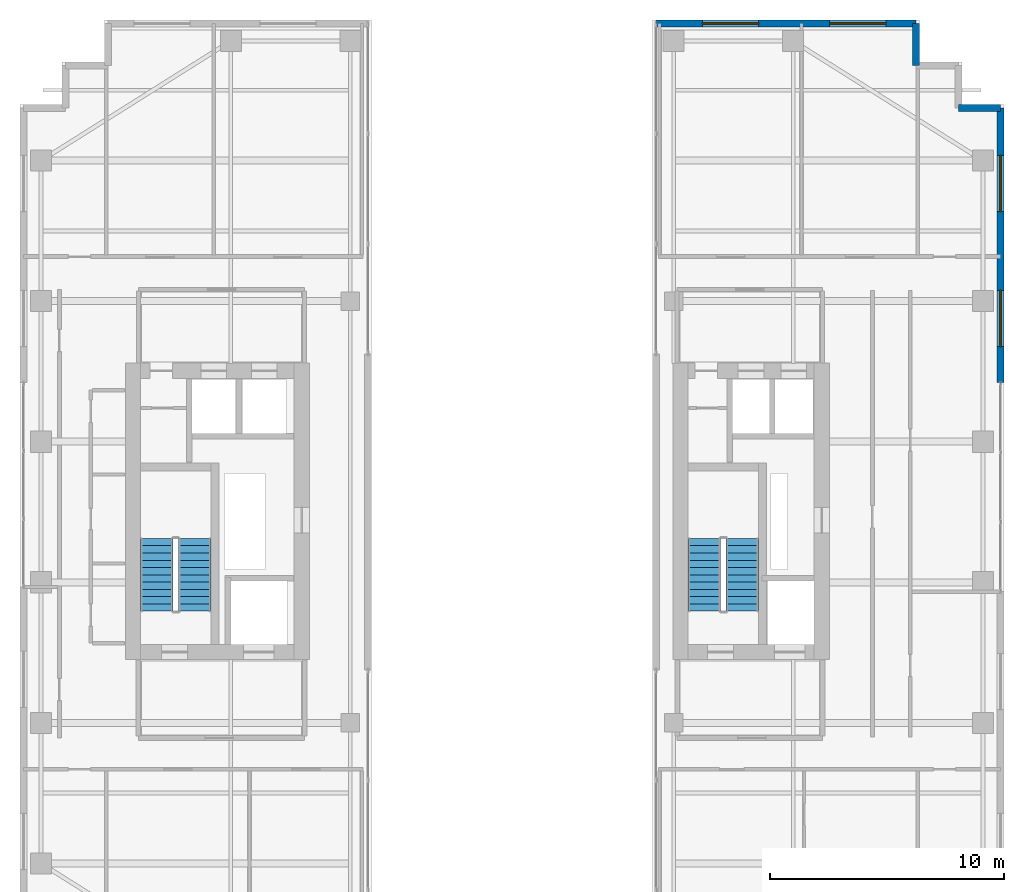
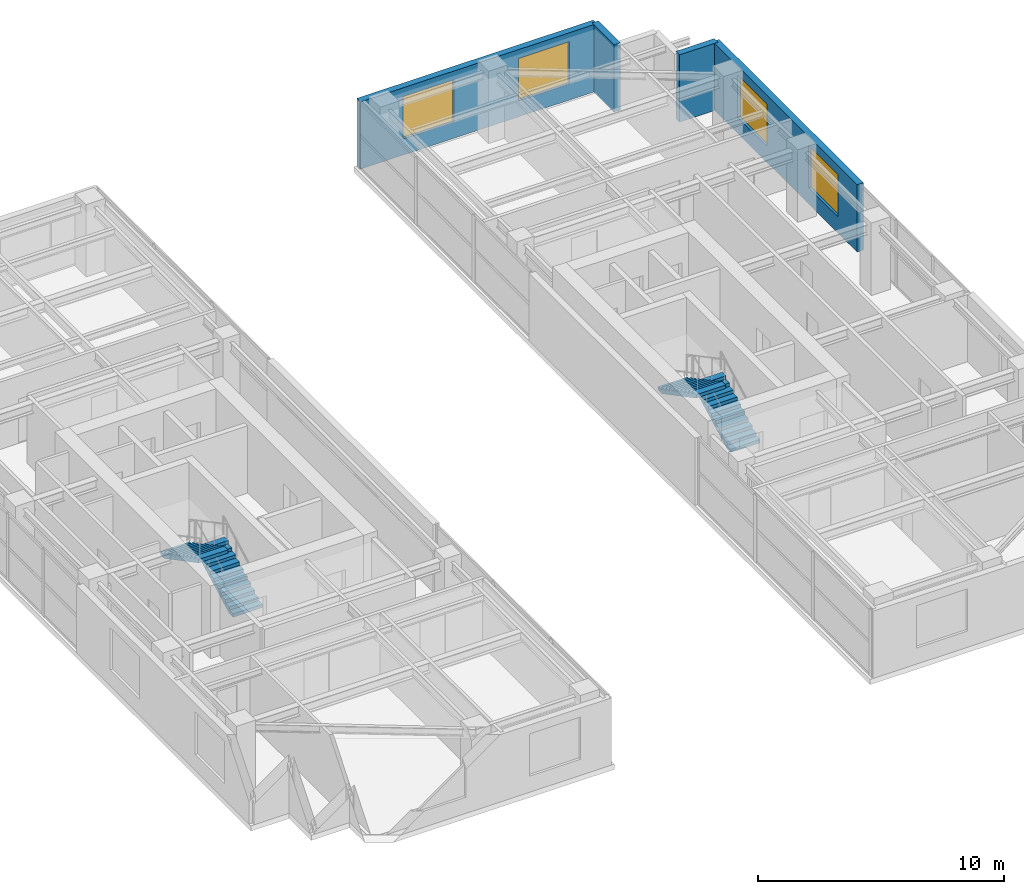
# One storey, part 19 of 21: 4 stair flights, 4 walls, 4 windows, 4 openings, 2 elements without a shape of their own.
"""IFC4 building model written with IfcOpenShell, lengths in metres."""

from ifc_helpers import new_model, si_unit, direction, frame, frame_2d, origin, place, context, subcontext, project, spatial, polyline, rectangle, outline, extrude, source, transform, mapped, material, layer, layer_set, type_object, element, fill, aggregate, save


model = new_model("IFC4")

# Units and contexts
model_context = context("Model", 3, precision=1e-05, world=origin(), true_north=direction((0.0, 1.0)))
body_context = subcontext(model_context, "Body", "Model", "MODEL_VIEW")
ifc_project = project(units=[si_unit("LENGTHUNIT", "METRE"), si_unit("AREAUNIT", "SQUARE_METRE"), si_unit("VOLUMEUNIT", "CUBIC_METRE"), si_unit("PLANEANGLEUNIT", "RADIAN"), si_unit("MASSUNIT", "GRAM", prefix="KILO")], contexts=[model_context])

# Site, building, storey
site_placement = place(None, origin())
site = spatial("IfcSite", under=ifc_project, at=site_placement, CompositionType="ELEMENT")
building_placement = place(site_placement, origin())
building = spatial("IfcBuilding", under=site, at=building_placement, Name="Khoralis Quay Care Tower", CompositionType="ELEMENT")
storey_placement = place(building_placement, frame((0.0, 0.0, 206.10009765625)))
storey = spatial("IfcBuildingStorey", under=building, at=storey_placement, Name="L54", CompositionType="ELEMENT", Elevation=206.10009765625)

# Wall, openings, windows
ifc_material_1 = material(Name="Precast concrete C45/55", Category="concrete")
ifc_layer = layer(ifc_material_1, 0.300048828125)
ifc_layer_set = layer_set([ifc_layer], Name="Precast concrete C45/55")
wall_type = type_object("IfcWallType", Name="WL-EXT-REF-300", PredefinedType="SOLIDWALL", material=ifc_layer_set)
wall_1_placement = place(storey_placement, frame((44.85009765625, 26.52001953125, 0.0), z_axis=(0.0, 0.0, 1.0), x_axis=(0.0, 1.0, 0.0)))
wall_1 = element("IfcWall", 1, at=wall_1_placement, inside=storey, type_object=wall_type, Name="L54 External Facade Wall WL-EXT-L54-P2-E5B", PredefinedType="SOLIDWALL", context=body_context, shape_type="SweptSolid", body=[
    extrude(rectangle(XDim=11.72998046875, YDim=0.300048828125, at=frame_2d((5.864990234375, 0.0))), origin(), (0.0, 0.0, 1.0), 3.33984375),
])
opening_1_placement = place(wall_1_placement, frame((1.5400390625, 0.0, 0.800048828125)))
opening_1 = element("IfcOpeningElement", 2, at=opening_1_placement, cuts=wall_1, Name="Opening W1", PredefinedType="OPENING", context=body_context, shape_type="SweptSolid", body=[
    extrude(rectangle(XDim=2.39990234375, YDim=2.10009765625, at=frame_2d((1.199951171875, 1.050048828125))), frame((0.0, 0.16015625, 0.0), z_axis=(0.0, -1.0, 0.0), x_axis=(1.0, 0.0, 0.0)), (0.0, 0.0, 1.0), 0.320068359375),
])
opening_2_placement = place(wall_1_placement, frame((7.304931640625, 0.0, 0.800048828125)))
opening_2 = element("IfcOpeningElement", 3, at=opening_2_placement, cuts=wall_1, Name="Opening W1", PredefinedType="OPENING", context=body_context, shape_type="SweptSolid", body=[
    extrude(rectangle(XDim=2.39990234375, YDim=2.10009765625, at=frame_2d((1.199951171875, 1.050048828125))), frame((0.0, 0.16015625, 0.0), z_axis=(0.0, -1.0, 0.0), x_axis=(1.0, 0.0, 0.0)), (0.0, 0.0, 1.0), 0.320068359375),
])
ifc_material_2 = material(Name="Low-E solar-control double glazing", Category="glass")
window_type = type_object("IfcWindowType", Name="WN-POD-2400X2100", PartitioningType="SINGLE_PANEL", PredefinedType="WINDOW", material=ifc_material_2)
shared_shape_1 = source(origin(), body_context, "Body", "SweptSolid", [
    extrude(rectangle(XDim=2.39990234375, YDim=2.10009765625, at=frame_2d((1.199951171875, 1.050048828125))), frame((0.0, 0.030029296875, 0.0), z_axis=(0.0, -1.0, 0.0), x_axis=(1.0, 0.0, 0.0)), (0.0, 0.0, 1.0), 0.06005859375),
])
window_1_placement = place(opening_1_placement, origin())
window_1 = element("IfcWindow", 4, at=window_1_placement, inside=storey, type_object=window_type, Name="WN-L54-P2-E5B Facade Window 01", OverallHeight=2.10009765625, OverallWidth=2.39990234375, PartitioningType="SINGLE_PANEL", PredefinedType="WINDOW", context=body_context, shape_type="MappedRepresentation", body=[
    mapped(shared_shape_1, transform((0.0, 0.0, 0.0), scale=1.0)),
])
fill(opening_1, window_1)
window_2_placement = place(opening_2_placement, origin())
window_2 = element("IfcWindow", 5, at=window_2_placement, inside=storey, type_object=window_type, Name="WN-L54-P2-E5B Facade Window 02", OverallHeight=2.10009765625, OverallWidth=2.39990234375, PartitioningType="SINGLE_PANEL", PredefinedType="WINDOW", context=body_context, shape_type="MappedRepresentation", body=[
    mapped(shared_shape_1, transform((0.0, 0.0, 0.0), scale=1.0)),
])
fill(opening_2, window_2)

# Walls
for number, where, z_axis, x_axis, name in (
    (6, (44.85009765625, 38.25, 0.0), (0.0, 0.0, 1.0), (-1.0, 0.0, 0.0), "L54 External Facade Wall WL-EXT-L54-P2-C6"),
    (7, (41.25, 40.050048828125, 0.0), (0.0, 0.0, 1.0), (0.0, 1.0, 0.0), "L54 External Facade Wall WL-EXT-L54-P2-C9"),
):
    element("IfcWall", number, at=place(storey_placement, frame(where, z_axis=z_axis, x_axis=x_axis)), inside=storey, type_object=wall_type, Name=name, PredefinedType="SOLIDWALL", context=body_context, shape_type="SweptSolid", body=[
        extrude(rectangle(XDim=1.800048828125, YDim=0.300048828125, at=frame_2d((0.89990234375, 0.0))), origin(), (0.0, 0.0, 1.0), 3.33984375),
    ])

# Wall, openings, windows
wall_2_placement = place(storey_placement, frame((41.25, 41.85009765625, 0.0), z_axis=(0.0, 0.0, 1.0), x_axis=(-1.0, 0.0, 0.0)))
wall_2 = element("IfcWall", 8, at=wall_2_placement, inside=storey, type_object=wall_type, Name="L54 External Facade Wall WL-EXT-L54-P2-E10", PredefinedType="SOLIDWALL", context=body_context, shape_type="SweptSolid", body=[
    extrude(rectangle(XDim=11.10009765625, YDim=0.300048828125, at=frame_2d((5.550048828125, 0.0))), origin(), (0.0, 0.0, 1.0), 3.33984375),
])
opening_3_placement = place(wall_2_placement, frame((1.294921875, 0.0, 0.800048828125)))
opening_3 = element("IfcOpeningElement", 9, at=opening_3_placement, cuts=wall_2, Name="Opening W1", PredefinedType="OPENING", context=body_context, shape_type="SweptSolid", body=[
    extrude(rectangle(XDim=2.39990234375, YDim=2.10009765625, at=frame_2d((1.199951171875, 1.050048828125))), frame((0.0, 0.16015625, 0.0), z_axis=(0.0, -1.0, 0.0), x_axis=(1.0, 0.0, 0.0)), (0.0, 0.0, 1.0), 0.320068359375),
])
opening_4_placement = place(wall_2_placement, frame((6.719970703125, 0.0, 0.800048828125)))
opening_4 = element("IfcOpeningElement", 10, at=opening_4_placement, cuts=wall_2, Name="Opening W1", PredefinedType="OPENING", context=body_context, shape_type="SweptSolid", body=[
    extrude(rectangle(XDim=2.39990234375, YDim=2.10009765625, at=frame_2d((1.199951171875, 1.050048828125))), frame((0.0, 0.16015625, 0.0), z_axis=(0.0, -1.0, 0.0), x_axis=(1.0, 0.0, 0.0)), (0.0, 0.0, 1.0), 0.320068359375),
])
window_3_placement = place(opening_3_placement, origin())
window_3 = element("IfcWindow", 11, at=window_3_placement, inside=storey, type_object=window_type, Name="WN-L54-P2-E10 Facade Window 01", OverallHeight=2.10009765625, OverallWidth=2.39990234375, PartitioningType="SINGLE_PANEL", PredefinedType="WINDOW", context=body_context, shape_type="MappedRepresentation", body=[
    mapped(shared_shape_1, transform((0.0, 0.0, 0.0), scale=1.0)),
])
fill(opening_3, window_3)
window_4_placement = place(opening_4_placement, origin())
window_4 = element("IfcWindow", 12, at=window_4_placement, inside=storey, type_object=window_type, Name="WN-L54-P2-E10 Facade Window 02", OverallHeight=2.10009765625, OverallWidth=2.39990234375, PartitioningType="SINGLE_PANEL", PredefinedType="WINDOW", context=body_context, shape_type="MappedRepresentation", body=[
    mapped(shared_shape_1, transform((0.0, 0.0, 0.0), scale=1.0)),
])
fill(opening_4, window_4)

# Stair, stair flights
stair_type = type_object("IfcStairType", Name="ST-TWR-DOGLEG-1400", PredefinedType="HALF_TURN_STAIR", material=ifc_material_1)
stair_1_placement = place(storey_placement, origin())
stair_1 = element("IfcStair", 13, at=stair_1_placement, inside=storey, type_object=stair_type, Name="L54 West Core Exit Stair ST-T1", PredefinedType="HALF_TURN_STAIR")
stair_flight_type = type_object("IfcStairFlightType", Name="SF-TWR-1400", PredefinedType="STRAIGHT", material=ifc_material_1)
shared_shape_2 = source(origin(), body_context, "Body", "SweptSolid", [
    extrude(outline(polyline([(0.0, 0.0), (0.0, 0.16357421875), (0.31005859375, 0.16357421875), (0.31005859375, 0.327392578125), (0.6201171875, 0.327392578125), (0.6201171875, 0.490966796875), (0.929931640625, 0.490966796875), (0.929931640625, 0.654541015625), (1.239990234375, 0.654541015625), (1.239990234375, 0.818115234375), (1.550048828125, 0.818115234375), (1.550048828125, 0.98193359375), (1.860107421875, 0.98193359375), (1.860107421875, 1.1455078125), (2.169921875, 1.1455078125), (2.169921875, 1.30908203125), (2.47998046875, 1.30908203125), (2.47998046875, 1.47265625), (2.7900390625, 1.47265625), (2.7900390625, 1.636474609375), (3.10009765625, 1.636474609375), (3.10009765625, 1.800048828125), (3.10009765625, 1.466796875), (0.321044921875, 0.0), (0.0, 0.0)])), frame((0.0, 0.68994140625, 0.0), z_axis=(0.0, -1.0, 0.0), x_axis=(1.0, 0.0, 0.0)), (0.0, 0.0, 1.0), 1.3798828125),
])
stair_flight_1_placement = place(storey_placement, frame((10.4599609375, 16.77001953125, 0.0), z_axis=(0.0, 0.0, 1.0), x_axis=(0.0, 1.0, 0.0)))
stair_flight_1 = element("IfcStairFlight", 14, at=stair_flight_1_placement, type_object=stair_flight_type, Name="ST-T1 flight 1", NumberOfRisers=11, NumberOfTreads=10, PredefinedType="STRAIGHT", RiserHeight=0.163636364, TreadLength=0.31, context=body_context, shape_type="MappedRepresentation", body=[
    mapped(shared_shape_2, transform((0.0, 0.0, 0.0), scale=1.0)),
])
stair_flight_2_placement = place(storey_placement, frame((8.840087890625, 19.8701171875, 1.7998046875), z_axis=(0.0, 0.0, 1.0), x_axis=(0.0, -1.0, 0.0)))
stair_flight_2 = element("IfcStairFlight", 15, at=stair_flight_2_placement, type_object=stair_flight_type, Name="ST-T1 flight 2", NumberOfRisers=11, NumberOfTreads=10, PredefinedType="STRAIGHT", RiserHeight=0.163636364, TreadLength=0.31, context=body_context, shape_type="MappedRepresentation", body=[
    mapped(shared_shape_2, transform((0.0, 0.0, 0.0), scale=1.0)),
])
aggregate(stair_1, [stair_flight_1, stair_flight_2])

stair_2_placement = place(storey_placement, origin())
stair_2 = element("IfcStair", 16, at=stair_2_placement, inside=storey, type_object=stair_type, Name="L54 East Core Exit Stair ST-T2", PredefinedType="HALF_TURN_STAIR")
stair_flight_3_placement = place(storey_placement, frame((33.830078125, 16.77001953125, 0.0), z_axis=(0.0, 0.0, 1.0), x_axis=(0.0, 1.0, 0.0)))
stair_flight_3 = element("IfcStairFlight", 17, at=stair_flight_3_placement, type_object=stair_flight_type, Name="ST-T2 flight 1", NumberOfRisers=11, NumberOfTreads=10, PredefinedType="STRAIGHT", RiserHeight=0.163636364, TreadLength=0.31, context=body_context, shape_type="MappedRepresentation", body=[
    mapped(shared_shape_2, transform((0.0, 0.0, 0.0), scale=1.0)),
])
stair_flight_4_placement = place(storey_placement, frame((32.2099609375, 19.8701171875, 1.7998046875), z_axis=(0.0, 0.0, 1.0), x_axis=(0.0, -1.0, 0.0)))
stair_flight_4 = element("IfcStairFlight", 18, at=stair_flight_4_placement, type_object=stair_flight_type, Name="ST-T2 flight 2", NumberOfRisers=11, NumberOfTreads=10, PredefinedType="STRAIGHT", RiserHeight=0.163636364, TreadLength=0.31, context=body_context, shape_type="MappedRepresentation", body=[
    mapped(shared_shape_2, transform((0.0, 0.0, 0.0), scale=1.0)),
])
aggregate(stair_2, [stair_flight_3, stair_flight_4])

save(model, "model.ifc")
